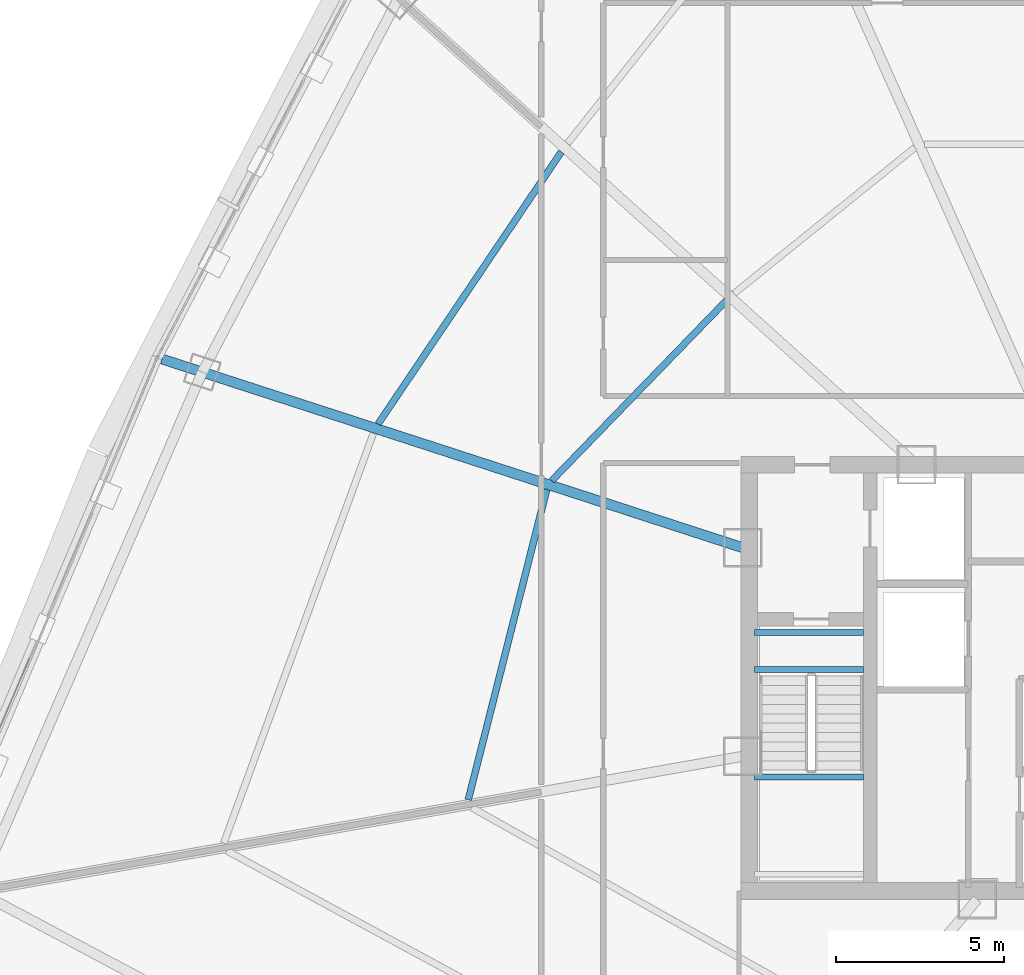
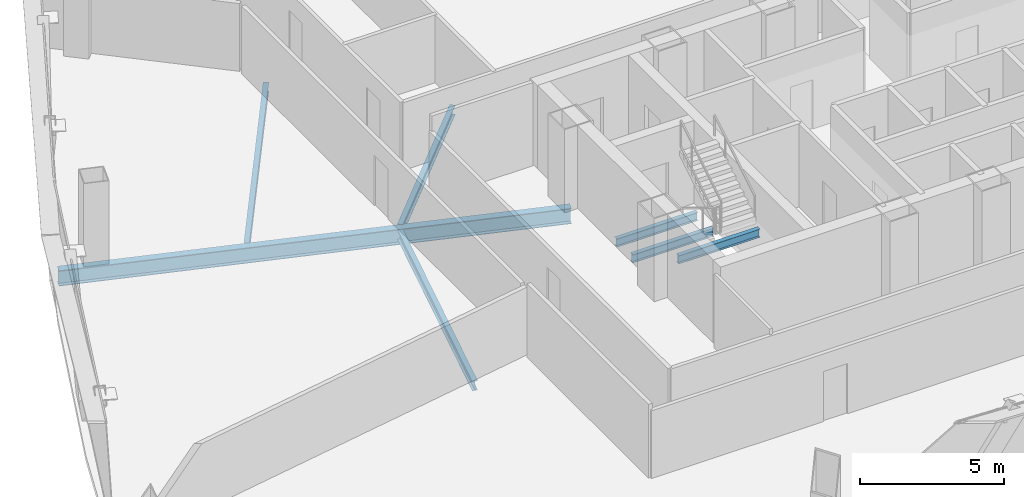
# One storey, part 9 of 36: 7 beams.
"""IFC4 building model written with IfcOpenShell, lengths in metres."""

from ifc_helpers import new_model, si_unit, direction, frame, origin, origin_2d, place, context, subcontext, project, spatial, i_section, extrude, source, transform, mapped, material, material_profile, profile_set, type_object, element, save


model = new_model("IFC4")

# Units and contexts
model_context = context("Model", 3, precision=1e-05, world=origin(), true_north=direction((0.0, 1.0)))
body_context = subcontext(model_context, "Body", "Model", "MODEL_VIEW")
ifc_project = project(units=[si_unit("LENGTHUNIT", "METRE"), si_unit("AREAUNIT", "SQUARE_METRE"), si_unit("VOLUMEUNIT", "CUBIC_METRE"), si_unit("PLANEANGLEUNIT", "RADIAN"), si_unit("MASSUNIT", "GRAM", prefix="KILO"), si_unit("THERMODYNAMICTEMPERATUREUNIT", "KELVIN"), si_unit("POWERUNIT", "WATT")], contexts=[model_context])

# Site, building, storey
site_placement = place(None, origin())
site = spatial("IfcSite", under=ifc_project, at=site_placement, CompositionType="ELEMENT")
building_placement = place(site_placement, origin())
building = spatial("IfcBuilding", under=site, at=building_placement, Name="Yunzhuo Pagoda Commons", CompositionType="ELEMENT")
storey_placement = place(building_placement, frame((0.0, 0.0, 215.159912109375)))
storey = spatial("IfcBuildingStorey", under=building, at=storey_placement, Name="L54", CompositionType="ELEMENT", Elevation=215.159912109375)

# Beams
ifc_material = material(Name="Structural steel Q355B", Category="steel")
ifc_material_profile_1 = material_profile(ifc_material, i_section(OverallWidth=0.175048828125, OverallDepth=0.35009765625, WebThickness=0.007080078125, FlangeThickness=0.010986328125, at=origin_2d()), Name="Structural steel Q355B")
ifc_profile_set_1 = profile_set([ifc_material_profile_1], Name="Structural steel Q355B")
beam_type_1 = type_object("IfcBeamType", Name="B-JS2 Joist HN 350x175x7x11", PredefinedType="JOIST", material=ifc_profile_set_1)
shared_shape_1 = source(origin(), body_context, "Body", "SweptSolid", [
    extrude(i_section(OverallWidth=0.175048828125, OverallDepth=0.35009765625, WebThickness=0.007080078125, FlangeThickness=0.010986328125, at=origin_2d()), origin(), (0.0, 0.0, 1.0), 3.25),
])
for number, where, z_axis, x_axis, name in (
    (1, (35.949951171875, 30.89990234375, 1.525146484375), (1.0, 0.0, 0.0), (0.0, 1.0, 0.0), "L54 ST1 landing support beam 60B"),
    (2, (35.949951171875, 34.10009765625, -0.375), (1.0, 0.0, 0.0), (0.0, 1.0, 0.0), "L54 ST1 landing support beam 158A"),
    (3, (35.949951171875, 35.199951171875, -0.375), (1.0, 0.0, 0.0), (0.0, 1.0, 0.0), "L54 ST1 landing support beam 158B"),
):
    element("IfcBeam", number, at=place(storey_placement, frame(where, z_axis=z_axis, x_axis=x_axis)), inside=storey, type_object=beam_type_1, Name=name, PredefinedType="JOIST", context=body_context, shape_type="MappedRepresentation", body=[
        mapped(shared_shape_1, transform((0.0, 0.0, 0.0), scale=1.0)),
    ])
ifc_material_profile_2 = material_profile(ifc_material, i_section(OverallWidth=0.199951171875, OverallDepth=0.39990234375, WebThickness=0.008056640625, FlangeThickness=0.012939453125, at=origin_2d()), Name="Structural steel Q355B")
ifc_profile_set_2 = profile_set([ifc_material_profile_2], Name="Structural steel Q355B")
beam_type_2 = type_object("IfcBeamType", Name="B-JS1 Joist HN 400x200x8x13", PredefinedType="JOIST", material=ifc_profile_set_2)
shared_shape_2 = source(origin(), body_context, "Body", "SweptSolid", [
    extrude(i_section(OverallWidth=0.199951171875, OverallDepth=0.39990234375, WebThickness=0.008056640625, FlangeThickness=0.012939453125, at=origin_2d()), origin(), (0.0, 0.0, 1.0), 9.529052734375),
])
beam_1_placement = place(storey_placement, frame((29.766845703125, 39.457763671875, -0.4599609375), z_axis=(-0.245367921097, -0.969430030119, 0.0), x_axis=(0.969430030119, -0.245367921097, 0.0)))
element("IfcBeam", 4, at=beam_1_placement, inside=storey, type_object=beam_type_2, Name="L54 composite ring joist 1.11", PredefinedType="JOIST", context=body_context, shape_type="MappedRepresentation", body=[
    mapped(shared_shape_2, transform((0.0, 0.0, 0.0), scale=1.0)),
])
shared_shape_3 = source(origin(), body_context, "Body", "SweptSolid", [
    extrude(i_section(OverallWidth=0.199951171875, OverallDepth=0.39990234375, WebThickness=0.008056640625, FlangeThickness=0.012939453125, at=origin_2d()), origin(), (0.0, 0.0, 1.0), 7.46826171875),
])
beam_2_placement = place(storey_placement, frame((35.114990234375, 45.087890625, -0.4599609375), z_axis=(-0.696070782679, -0.717973164889, 0.0), x_axis=(0.717973164889, -0.696070782679, 0.0)))
element("IfcBeam", 5, at=beam_2_placement, inside=storey, type_object=beam_type_2, Name="L54 composite ring joist 1.10", PredefinedType="JOIST", context=body_context, shape_type="MappedRepresentation", body=[
    mapped(shared_shape_3, transform((0.0, 0.0, 0.0), scale=1.0)),
])
shared_shape_4 = source(origin(), body_context, "Body", "SweptSolid", [
    extrude(i_section(OverallWidth=0.199951171875, OverallDepth=0.39990234375, WebThickness=0.008056640625, FlangeThickness=0.012939453125, at=origin_2d()), origin(), (0.0, 0.0, 1.0), 9.764892578125),
])
beam_3_placement = place(storey_placement, frame((30.198486328125, 49.5166015625, -0.4599609375), z_axis=(-0.558548425455, -0.829471914185, 0.0), x_axis=(0.829471914185, -0.558548425455, 0.0)))
element("IfcBeam", 6, at=beam_3_placement, inside=storey, type_object=beam_type_2, Name="L54 composite ring joist 2.10", PredefinedType="JOIST", context=body_context, shape_type="MappedRepresentation", body=[
    mapped(shared_shape_4, transform((0.0, 0.0, 0.0), scale=1.0)),
])
ifc_material_profile_3 = material_profile(ifc_material, i_section(OverallWidth=0.300048828125, OverallDepth=0.64990234375, WebThickness=0.012939453125, FlangeThickness=0.02197265625, at=origin_2d()), Name="Structural steel Q355B")
ifc_profile_set_3 = profile_set([ifc_material_profile_3], Name="Structural steel Q355B")
beam_type_3 = type_object("IfcBeamType", Name="B-RG2 Beam HN 650x300x13x22", PredefinedType="BEAM", material=ifc_profile_set_3)
shared_shape_5 = source(origin(), body_context, "Body", "SweptSolid", [
    extrude(i_section(OverallWidth=0.300048828125, OverallDepth=0.64990234375, WebThickness=0.012939453125, FlangeThickness=0.02197265625, at=origin_2d()), origin(), (0.0, 0.0, 1.0), 18.180908203125),
])
beam_4_placement = place(storey_placement, frame((18.30908203125, 43.34716796875, -0.5849609375), z_axis=(0.951056960539, -0.309015627131, 0.0), x_axis=(0.309015627131, 0.951056960539, 0.0)))
element("IfcBeam", 7, at=beam_4_placement, inside=storey, type_object=beam_type_3, Name="L54 radial floor girder F3C3", PredefinedType="BEAM", context=body_context, shape_type="MappedRepresentation", body=[
    mapped(shared_shape_5, transform((0.0, 0.0, 0.0), scale=1.0)),
])

save(model, "model.ifc")
